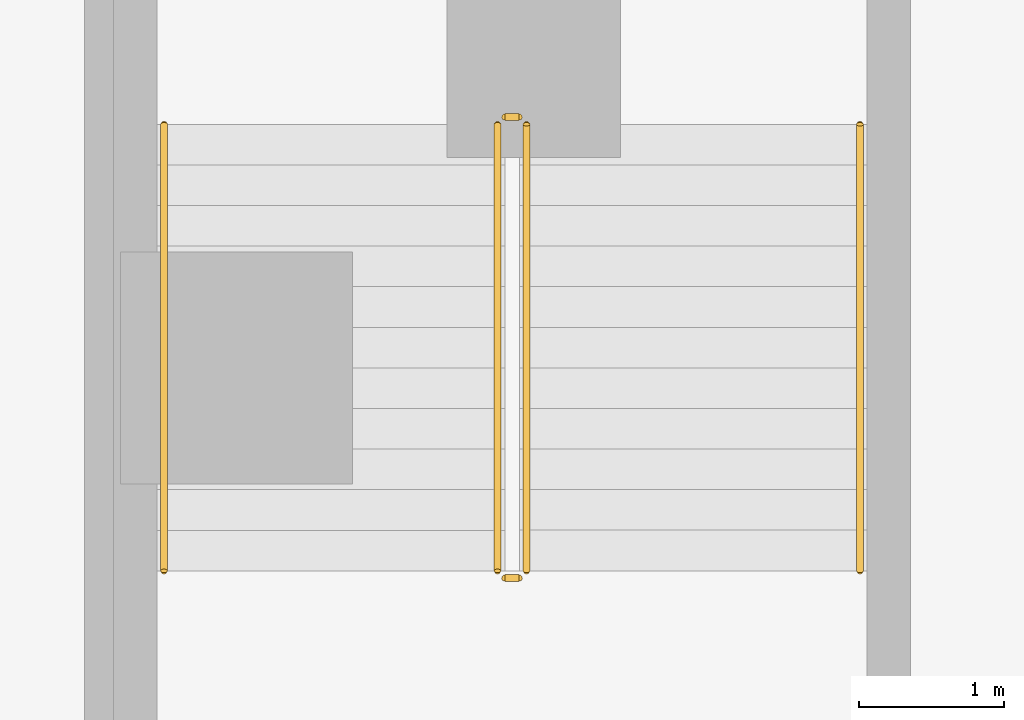
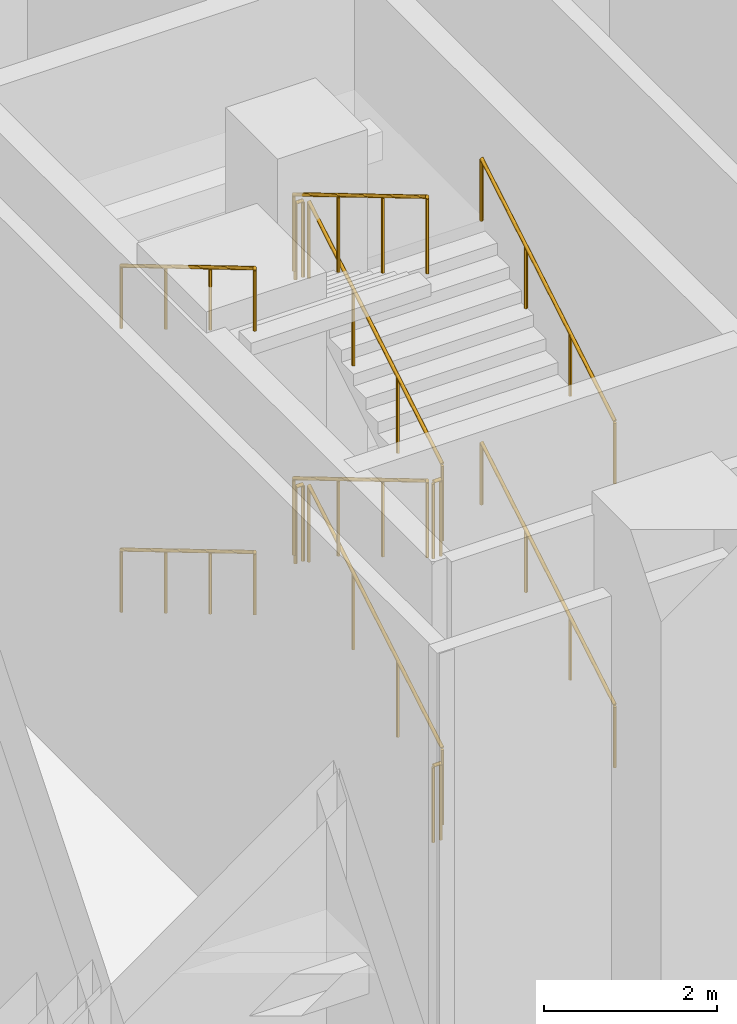
# One storey, part 51 of 54: 12 railings.
"""IFC4 building model written with IfcOpenShell, lengths in metres."""

from ifc_helpers import new_model, si_unit, direction, frame, origin, origin_2d, place, context, subcontext, project, spatial, circle, extrude, material, type_object, element, save


model = new_model("IFC4")

# Units and contexts
model_context = context("Model", 3, precision=1e-05, world=origin(), true_north=direction((0.0, 1.0)))
body_context = subcontext(model_context, "Body", "Model", "MODEL_VIEW")
ifc_project = project(units=[si_unit("LENGTHUNIT", "METRE"), si_unit("AREAUNIT", "SQUARE_METRE"), si_unit("VOLUMEUNIT", "CUBIC_METRE"), si_unit("PLANEANGLEUNIT", "RADIAN"), si_unit("MASSUNIT", "GRAM", prefix="KILO")], contexts=[model_context])

# Site, building, storey
site_placement = place(None, origin())
site = spatial("IfcSite", under=ifc_project, at=site_placement, CompositionType="ELEMENT")
building_placement = place(site_placement, origin())
building = spatial("IfcBuilding", under=site, at=building_placement, Name="Ogive Portal Towers", CompositionType="ELEMENT")
storey_placement = place(building_placement, origin())
storey = spatial("IfcBuildingStorey", under=building, at=storey_placement, Name="L00", CompositionType="ELEMENT", Elevation=0.0)

# Railings
ifc_material_1 = material(Name="Stainless steel balustrade", Category="steel")
railing_type_1 = type_object("IfcRailingType", Name="INT-GUARD", PredefinedType="GUARDRAIL", material=ifc_material_1)
railing_1_placement = place(storey_placement, frame((94.449951171875, 36.050048828125, 0.166748046875)))
element("IfcRailing", 1, at=railing_1_placement, inside=storey, type_object=railing_type_1, Name="L00 ST-P1 stair guard 1", PredefinedType="GUARDRAIL", context=body_context, shape_type="SweptSolid", body=[
    extrude(circle(Radius=0.02392578125, at=origin_2d()), frame((0.0, 0.0, 1.076171875), z_axis=(0.0, 0.859290745958, 0.51148745235), x_axis=(-1.0, 0.0, 0.0)), (0.0, 0.0, 1.0), 3.584228515625),
    extrude(circle(Radius=0.02099609375, at=origin_2d()), origin(), (0.0, 0.0, 1.0), 1.052001953125),
    extrude(circle(Radius=0.02099609375, at=origin_2d()), frame((0.0, 1.026611328125, 0.611083984375)), (0.0, 0.0, 1.0), 1.052001953125),
    extrude(circle(Radius=0.02099609375, at=origin_2d()), frame((0.0, 2.05322265625, 1.22216796875)), (0.0, 0.0, 1.0), 1.052001953125),
    extrude(circle(Radius=0.02099609375, at=origin_2d()), frame((0.0, 3.079833984375, 1.833251953125)), (0.0, 0.0, 1.0), 1.052001953125),
])
railing_2_placement = place(storey_placement, frame((94.39990234375, 39.179931640625, 2.0)))
element("IfcRailing", 2, at=railing_2_placement, inside=storey, type_object=railing_type_1, Name="L00 ST-P1 stair guard 2", PredefinedType="GUARDRAIL", context=body_context, shape_type="SweptSolid", body=[
    extrude(circle(Radius=0.02392578125, at=origin_2d()), frame((0.0, 0.0, 1.076171875), z_axis=(-1.0, 0.0, 0.0), x_axis=(0.0, -1.0, 0.0)), (0.0, 0.0, 1.0), 0.099853515625),
    extrude(circle(Radius=0.02099609375, at=origin_2d()), origin(), (0.0, 0.0, 1.0), 1.052001953125),
    extrude(circle(Radius=0.02099609375, at=origin_2d()), frame((-0.099853515625, 0.0, 0.0)), (0.0, 0.0, 1.0), 1.052001953125),
])
railing_3_placement = place(storey_placement, frame((94.25, 39.1298828125, 2.166748046875)))
element("IfcRailing", 3, at=railing_3_placement, inside=storey, type_object=railing_type_1, Name="L00 ST-P1 stair guard 3", PredefinedType="GUARDRAIL", context=body_context, shape_type="SweptSolid", body=[
    extrude(circle(Radius=0.02392578125, at=origin_2d()), frame((0.0, 0.0, 1.076171875), z_axis=(0.0, -0.859290745958, 0.51148745235), x_axis=(1.0, 0.0, 0.0)), (0.0, 0.0, 1.0), 3.584228515625),
    extrude(circle(Radius=0.02099609375, at=origin_2d()), origin(), (0.0, 0.0, 1.0), 1.052001953125),
    extrude(circle(Radius=0.02099609375, at=origin_2d()), frame((0.0, -1.026611328125, 0.611083984375)), (0.0, 0.0, 1.0), 1.052001953125),
    extrude(circle(Radius=0.02099609375, at=origin_2d()), frame((0.0, -2.05322265625, 1.22216796875)), (0.0, 0.0, 1.0), 1.052001953125),
    extrude(circle(Radius=0.02099609375, at=origin_2d()), frame((0.0, -3.079833984375, 1.833251953125)), (0.0, 0.0, 1.0), 1.052001953125),
])
railing_4_placement = place(storey_placement, frame((94.39990234375, 36.0, 4.0)))
element("IfcRailing", 4, at=railing_4_placement, inside=storey, type_object=railing_type_1, Name="L00 ST-P1 stair guard 4", PredefinedType="GUARDRAIL", context=body_context, shape_type="SweptSolid", body=[
    extrude(circle(Radius=0.02392578125, at=origin_2d()), frame((0.0, 0.0, 1.076171875), z_axis=(-1.0, 0.0, 0.0), x_axis=(0.0, -1.0, 0.0)), (0.0, 0.0, 1.0), 0.099853515625),
    extrude(circle(Radius=0.02099609375, at=origin_2d()), origin(), (0.0, 0.0, 1.0), 1.052001953125),
    extrude(circle(Radius=0.02099609375, at=origin_2d()), frame((-0.099853515625, 0.0, 0.0)), (0.0, 0.0, 1.0), 1.052001953125),
])
railing_5_placement = place(storey_placement, frame((94.449951171875, 36.050048828125, 4.166748046875)))
element("IfcRailing", 5, at=railing_5_placement, inside=storey, type_object=railing_type_1, Name="L00 ST-P1 stair guard 5", PredefinedType="GUARDRAIL", context=body_context, shape_type="SweptSolid", body=[
    extrude(circle(Radius=0.02392578125, at=origin_2d()), frame((0.0, 0.0, 1.076171875), z_axis=(0.0, 0.859290745958, 0.51148745235), x_axis=(-1.0, 0.0, 0.0)), (0.0, 0.0, 1.0), 3.584228515625),
    extrude(circle(Radius=0.02099609375, at=origin_2d()), origin(), (0.0, 0.0, 1.0), 1.052001953125),
    extrude(circle(Radius=0.02099609375, at=origin_2d()), frame((0.0, 1.026611328125, 0.611083984375)), (0.0, 0.0, 1.0), 1.052001953125),
    extrude(circle(Radius=0.02099609375, at=origin_2d()), frame((0.0, 2.05322265625, 1.22216796875)), (0.0, 0.0, 1.0), 1.052001953125),
    extrude(circle(Radius=0.02099609375, at=origin_2d()), frame((0.0, 3.079833984375, 1.833251953125)), (0.0, 0.0, 1.0), 1.052001953125),
])
railing_6_placement = place(storey_placement, frame((94.39990234375, 39.179931640625, 6.0)))
element("IfcRailing", 6, at=railing_6_placement, inside=storey, type_object=railing_type_1, Name="L00 ST-P1 stair guard 6", PredefinedType="GUARDRAIL", context=body_context, shape_type="SweptSolid", body=[
    extrude(circle(Radius=0.02392578125, at=origin_2d()), frame((0.0, 0.0, 1.076171875), z_axis=(-1.0, 0.0, 0.0), x_axis=(0.0, -1.0, 0.0)), (0.0, 0.0, 1.0), 0.099853515625),
    extrude(circle(Radius=0.02099609375, at=origin_2d()), origin(), (0.0, 0.0, 1.0), 1.052001953125),
    extrude(circle(Radius=0.02099609375, at=origin_2d()), frame((-0.099853515625, 0.0, 0.0)), (0.0, 0.0, 1.0), 1.052001953125),
])
railing_7_placement = place(storey_placement, frame((94.25, 39.1298828125, 6.166748046875)))
element("IfcRailing", 7, at=railing_7_placement, inside=storey, type_object=railing_type_1, Name="L00 ST-P1 stair guard 7", PredefinedType="GUARDRAIL", context=body_context, shape_type="SweptSolid", body=[
    extrude(circle(Radius=0.02392578125, at=origin_2d()), frame((0.0, 0.0, 1.076171875), z_axis=(0.0, -0.859290745958, 0.51148745235), x_axis=(1.0, 0.0, 0.0)), (0.0, 0.0, 1.0), 3.584228515625),
    extrude(circle(Radius=0.02099609375, at=origin_2d()), origin(), (0.0, 0.0, 1.0), 1.052001953125),
    extrude(circle(Radius=0.02099609375, at=origin_2d()), frame((0.0, -1.026611328125, 0.611083984375)), (0.0, 0.0, 1.0), 1.052001953125),
    extrude(circle(Radius=0.02099609375, at=origin_2d()), frame((0.0, -2.05322265625, 1.22216796875)), (0.0, 0.0, 1.0), 1.052001953125),
    extrude(circle(Radius=0.02099609375, at=origin_2d()), frame((0.0, -3.079833984375, 1.833251953125)), (0.0, 0.0, 1.0), 1.052001953125),
])
railing_8_placement = place(storey_placement, frame((94.39990234375, 36.0, 0.0)))
element("IfcRailing", 8, at=railing_8_placement, inside=storey, type_object=railing_type_1, Name="L00 ST-P1 stair guard 8", PredefinedType="GUARDRAIL", context=body_context, shape_type="SweptSolid", body=[
    extrude(circle(Radius=0.02392578125, at=origin_2d()), frame((0.0, 0.0, 1.076171875), z_axis=(-1.0, 0.0, 0.0), x_axis=(0.0, -1.0, 0.0)), (0.0, 0.0, 1.0), 0.099853515625),
    extrude(circle(Radius=0.02099609375, at=origin_2d()), origin(), (0.0, 0.0, 1.0), 1.052001953125),
    extrude(circle(Radius=0.02099609375, at=origin_2d()), frame((-0.099853515625, 0.0, 0.0)), (0.0, 0.0, 1.0), 1.052001953125),
])
ifc_material_2 = material(Name="Stainless steel handrail", Category="steel")
railing_type_2 = type_object("IfcRailingType", Name="INT-HANDRAIL", PredefinedType="HANDRAIL", material=ifc_material_2)
railing_9_placement = place(storey_placement, frame((96.75, 36.050048828125, 0.166748046875)))
element("IfcRailing", 9, at=railing_9_placement, inside=storey, type_object=railing_type_2, Name="L00 ST-P1 stair handrail 1", PredefinedType="HANDRAIL", context=body_context, shape_type="SweptSolid", body=[
    extrude(circle(Radius=0.02392578125, at=origin_2d()), frame((0.0, 0.0, 0.8759765625), z_axis=(0.0, 0.859290745958, 0.51148745235), x_axis=(-1.0, 0.0, 0.0)), (0.0, 0.0, 1.0), 3.584228515625),
    extrude(circle(Radius=0.02099609375, at=origin_2d()), origin(), (0.0, 0.0, 1.0), 0.851806640625),
    extrude(circle(Radius=0.02099609375, at=origin_2d()), frame((0.0, 1.026611328125, 0.611083984375)), (0.0, 0.0, 1.0), 0.851806640625),
    extrude(circle(Radius=0.02099609375, at=origin_2d()), frame((0.0, 2.05322265625, 1.22216796875)), (0.0, 0.0, 1.0), 0.851806640625),
    extrude(circle(Radius=0.02099609375, at=origin_2d()), frame((0.0, 3.079833984375, 1.833251953125)), (0.0, 0.0, 1.0), 0.851806640625),
])
railing_10_placement = place(storey_placement, frame((91.949951171875, 39.1298828125, 2.166748046875)))
element("IfcRailing", 10, at=railing_10_placement, inside=storey, type_object=railing_type_2, Name="L00 ST-P1 stair handrail 2", PredefinedType="HANDRAIL", context=body_context, shape_type="SweptSolid", body=[
    extrude(circle(Radius=0.02392578125, at=origin_2d()), frame((0.0, 0.0, 0.8759765625), z_axis=(0.0, -0.859290745958, 0.51148745235), x_axis=(1.0, 0.0, 0.0)), (0.0, 0.0, 1.0), 3.584228515625),
    extrude(circle(Radius=0.02099609375, at=origin_2d()), origin(), (0.0, 0.0, 1.0), 0.851806640625),
    extrude(circle(Radius=0.02099609375, at=origin_2d()), frame((0.0, -1.026611328125, 0.611083984375)), (0.0, 0.0, 1.0), 0.851806640625),
    extrude(circle(Radius=0.02099609375, at=origin_2d()), frame((0.0, -2.05322265625, 1.22216796875)), (0.0, 0.0, 1.0), 0.851806640625),
    extrude(circle(Radius=0.02099609375, at=origin_2d()), frame((0.0, -3.079833984375, 1.833251953125)), (0.0, 0.0, 1.0), 0.851806640625),
])
railing_11_placement = place(storey_placement, frame((96.75, 36.050048828125, 4.166748046875)))
element("IfcRailing", 11, at=railing_11_placement, inside=storey, type_object=railing_type_2, Name="L00 ST-P1 stair handrail 3", PredefinedType="HANDRAIL", context=body_context, shape_type="SweptSolid", body=[
    extrude(circle(Radius=0.02392578125, at=origin_2d()), frame((0.0, 0.0, 0.8759765625), z_axis=(0.0, 0.859290745958, 0.51148745235), x_axis=(-1.0, 0.0, 0.0)), (0.0, 0.0, 1.0), 3.584228515625),
    extrude(circle(Radius=0.02099609375, at=origin_2d()), origin(), (0.0, 0.0, 1.0), 0.851806640625),
    extrude(circle(Radius=0.02099609375, at=origin_2d()), frame((0.0, 1.026611328125, 0.611083984375)), (0.0, 0.0, 1.0), 0.851806640625),
    extrude(circle(Radius=0.02099609375, at=origin_2d()), frame((0.0, 2.05322265625, 1.22216796875)), (0.0, 0.0, 1.0), 0.851806640625),
    extrude(circle(Radius=0.02099609375, at=origin_2d()), frame((0.0, 3.079833984375, 1.833251953125)), (0.0, 0.0, 1.0), 0.851806640625),
])
railing_12_placement = place(storey_placement, frame((91.949951171875, 39.1298828125, 6.166748046875)))
element("IfcRailing", 12, at=railing_12_placement, inside=storey, type_object=railing_type_2, Name="L00 ST-P1 stair handrail 4", PredefinedType="HANDRAIL", context=body_context, shape_type="SweptSolid", body=[
    extrude(circle(Radius=0.02392578125, at=origin_2d()), frame((0.0, 0.0, 0.8759765625), z_axis=(0.0, -0.859290745958, 0.51148745235), x_axis=(1.0, 0.0, 0.0)), (0.0, 0.0, 1.0), 3.584228515625),
    extrude(circle(Radius=0.02099609375, at=origin_2d()), origin(), (0.0, 0.0, 1.0), 0.851806640625),
    extrude(circle(Radius=0.02099609375, at=origin_2d()), frame((0.0, -1.026611328125, 0.611083984375)), (0.0, 0.0, 1.0), 0.851806640625),
    extrude(circle(Radius=0.02099609375, at=origin_2d()), frame((0.0, -2.05322265625, 1.22216796875)), (0.0, 0.0, 1.0), 0.851806640625),
    extrude(circle(Radius=0.02099609375, at=origin_2d()), frame((0.0, -3.079833984375, 1.833251953125)), (0.0, 0.0, 1.0), 0.851806640625),
])

save(model, "model.ifc")
